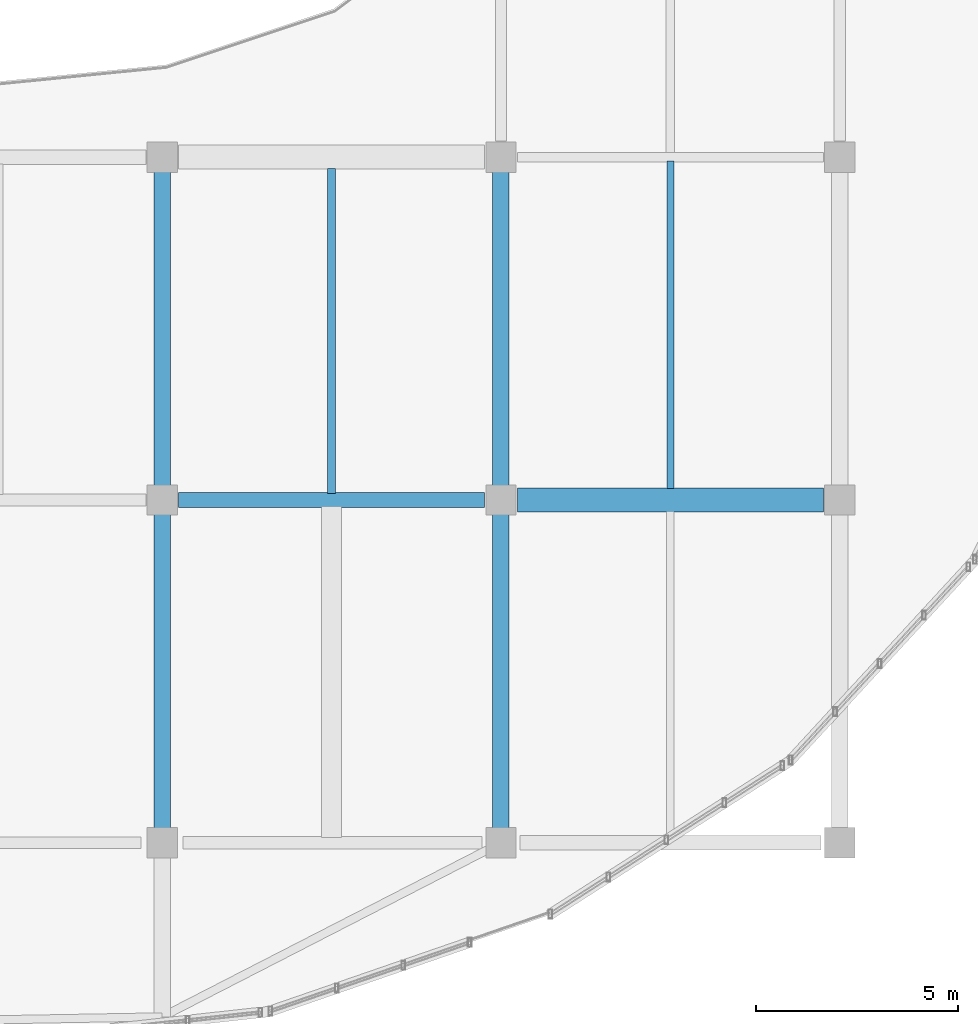
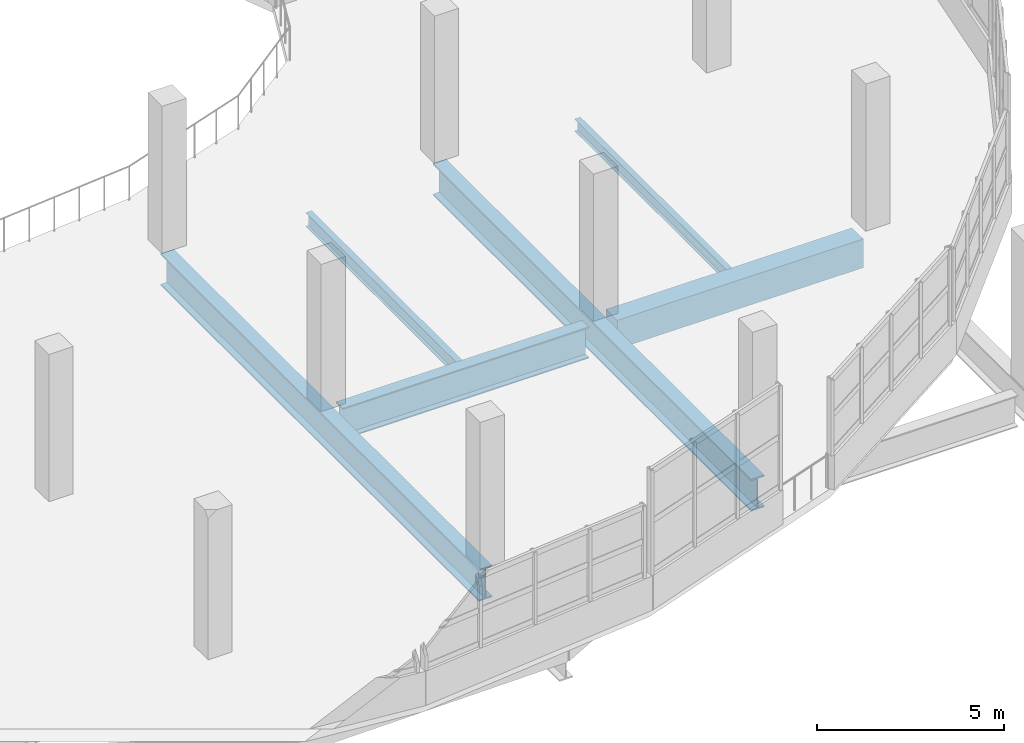
# One storey, part 23 of 117: 6 beams.
"""IFC4 building model written with IfcOpenShell, lengths in metres."""

from ifc_helpers import new_model, si_unit, direction, frame, origin, origin_2d, place, context, subcontext, project, spatial, rectangle, i_section, extrude, material, material_profile, profile_set, type_object, element, save


model = new_model("IFC4")

# Units and contexts
model_context = context("Model", 3, precision=1e-05, world=origin(), true_north=direction((0.0, 1.0)))
body_context = subcontext(model_context, "Body", "Model", "MODEL_VIEW")
ifc_project = project(units=[si_unit("LENGTHUNIT", "METRE"), si_unit("AREAUNIT", "SQUARE_METRE"), si_unit("VOLUMEUNIT", "CUBIC_METRE"), si_unit("PLANEANGLEUNIT", "RADIAN"), si_unit("MASSUNIT", "GRAM", prefix="KILO")], contexts=[model_context])

# Site, building, storey
site_placement = place(None, origin())
site = spatial("IfcSite", under=ifc_project, at=site_placement, CompositionType="ELEMENT")
building_placement = place(site_placement, origin())
building = spatial("IfcBuilding", under=site, at=building_placement, Name="Solvento Point Concert Hall", CompositionType="ELEMENT")
storey_placement = place(building_placement, frame((0.0, 0.0, 5.39990234375)))
storey = spatial("IfcBuildingStorey", under=building, at=storey_placement, Name="L01", CompositionType="ELEMENT", Elevation=5.39990234375)

# Beams
ifc_material_1 = material(Name="Structural Steel ASTM A992 Grade 50", Category="steel")
ifc_material_profile_1 = material_profile(ifc_material_1, i_section(OverallWidth=0.408935546875, OverallDepth=1.041015625, WebThickness=0.031005859375, FlangeThickness=0.04443359375, at=origin_2d()), Name="W40X397")
ifc_profile_set_1 = profile_set([ifc_material_profile_1], Name="Structural Steel ASTM A992 Grade 50")
beam_type_1 = type_object("IfcBeamType", Name="CantileverGirder_W40X397", PredefinedType="USERDEFINED", material=ifc_profile_set_1)
for number, where, z_axis, x_axis, name in (
    (1, (66.0, 34.0, -0.805419921875), (0.0, -1.0, 0.0), (1.0, 0.0, 0.0), "Radial back-span girder CG-01 L01"),
    (2, (74.39990234375, 34.0, -0.805419921875), (0.0, -1.0, 0.0), (1.0, 0.0, 0.0), "Radial back-span girder CG-01 L01"),
):
    element("IfcBeam", number, at=place(storey_placement, frame(where, z_axis=z_axis, x_axis=x_axis)), inside=storey, type_object=beam_type_1, Name=name, ObjectType="GIRDER", PredefinedType="USERDEFINED", context=body_context, shape_type="SweptSolid", body=[
        extrude(i_section(OverallWidth=0.408935546875, OverallDepth=1.041015625, WebThickness=0.031005859375, FlangeThickness=0.04443359375, at=origin_2d()), origin(), (0.0, 0.0, 1.0), 17.0),
    ])
ifc_material_2 = material(Name="Concrete C35/45", Category="concrete")
ifc_material_profile_2 = material_profile(ifc_material_2, rectangle(XDim=0.60009765625, YDim=0.93994140625, at=origin_2d()), Name="RC-BM-600X940")
ifc_profile_set_2 = profile_set([ifc_material_profile_2], Name="Concrete C35/45")
beam_type_2 = type_object("IfcBeamType", Name="Girder_RC_600x940", PredefinedType="USERDEFINED", material=ifc_profile_set_2)
beam_1_placement = place(storey_placement, frame((74.803955078125, 25.5, -0.75390625), z_axis=(1.0, 0.0, 0.0), x_axis=(0.0, 1.0, 0.0)))
element("IfcBeam", 3, at=beam_1_placement, inside=storey, type_object=beam_type_2, Name="Primary girder B-34 L01", ObjectType="GIRDER", PredefinedType="USERDEFINED", context=body_context, shape_type="SweptSolid", body=[
    extrude(rectangle(XDim=0.60009765625, YDim=0.93994140625, at=origin_2d()), origin(), (0.0, 0.0, 1.0), 7.592041015625),
])
ifc_material_3 = material(Name="Structural Steel ASTM A992 Grade 50", Category="steel")
ifc_material_profile_3 = material_profile(ifc_material_3, i_section(OverallWidth=0.361083984375, OverallDepth=1.02587890625, WebThickness=0.01904296875, FlangeThickness=0.0361328125, at=origin_2d()), Name="W40X249")
ifc_profile_set_3 = profile_set([ifc_material_profile_3], Name="Structural Steel ASTM A992 Grade 50")
beam_type_3 = type_object("IfcBeamType", Name="Girder_W40X249", PredefinedType="USERDEFINED", material=ifc_profile_set_3)
beam_2_placement = place(storey_placement, frame((66.404052734375, 25.5, -0.796875), z_axis=(1.0, 0.0, 0.0), x_axis=(0.0, 1.0, 0.0)))
element("IfcBeam", 4, at=beam_2_placement, inside=storey, type_object=beam_type_3, Name="Primary girder B-29 L01", ObjectType="GIRDER", PredefinedType="USERDEFINED", context=body_context, shape_type="SweptSolid", body=[
    extrude(i_section(OverallWidth=0.361083984375, OverallDepth=1.02587890625, WebThickness=0.01904296875, FlangeThickness=0.0361328125, at=origin_2d()), origin(), (0.0, 0.0, 1.0), 7.592041015625),
])
ifc_material_4 = material(Name="Structural Steel ASTM A992 Grade 50", Category="steel")
ifc_material_profile_4 = material_profile(ifc_material_4, i_section(OverallWidth=0.177490234375, OverallDepth=0.403076171875, WebThickness=0.007568359375, FlangeThickness=0.010986328125, at=origin_2d()), Name="W16X36")
ifc_profile_set_4 = profile_set([ifc_material_profile_4], Name="Structural Steel ASTM A992 Grade 50")
beam_type_4 = type_object("IfcBeamType", Name="Joist_W16X36", PredefinedType="JOIST", material=ifc_profile_set_4)
beam_3_placement = place(storey_placement, frame((78.60009765625, 25.784912109375, -0.4853515625), z_axis=(0.0, 1.0, 0.0), x_axis=(-1.0, 0.0, 0.0)))
element("IfcBeam", 5, at=beam_3_placement, inside=storey, type_object=beam_type_4, Name="Secondary floor joist B-30 L01", PredefinedType="JOIST", context=body_context, shape_type="SweptSolid", body=[
    extrude(i_section(OverallWidth=0.177490234375, OverallDepth=0.403076171875, WebThickness=0.007568359375, FlangeThickness=0.010986328125, at=origin_2d()), origin(), (0.0, 0.0, 1.0), 8.115966796875),
])
ifc_material_5 = material(Name="Structural Steel ASTM A992 Grade 50", Category="steel")
ifc_material_profile_5 = material_profile(ifc_material_5, i_section(OverallWidth=0.1904296875, OverallDepth=0.45703125, WebThickness=0.009033203125, FlangeThickness=0.014404296875, at=origin_2d()), Name="W18X50")
ifc_profile_set_5 = profile_set([ifc_material_profile_5], Name="Structural Steel ASTM A992 Grade 50")
beam_type_5 = type_object("IfcBeamType", Name="Joist_W18X50", PredefinedType="JOIST", material=ifc_profile_set_5)
beam_4_placement = place(storey_placement, frame((70.199951171875, 25.66552734375, -0.512451171875), z_axis=(0.0, 1.0, 0.0), x_axis=(-1.0, 0.0, 0.0)))
element("IfcBeam", 6, at=beam_4_placement, inside=storey, type_object=beam_type_5, Name="Secondary floor joist B-66 L01", PredefinedType="JOIST", context=body_context, shape_type="SweptSolid", body=[
    extrude(i_section(OverallWidth=0.1904296875, OverallDepth=0.45703125, WebThickness=0.009033203125, FlangeThickness=0.014404296875, at=origin_2d()), origin(), (0.0, 0.0, 1.0), 8.049560546875),
])

save(model, "model.ifc")
